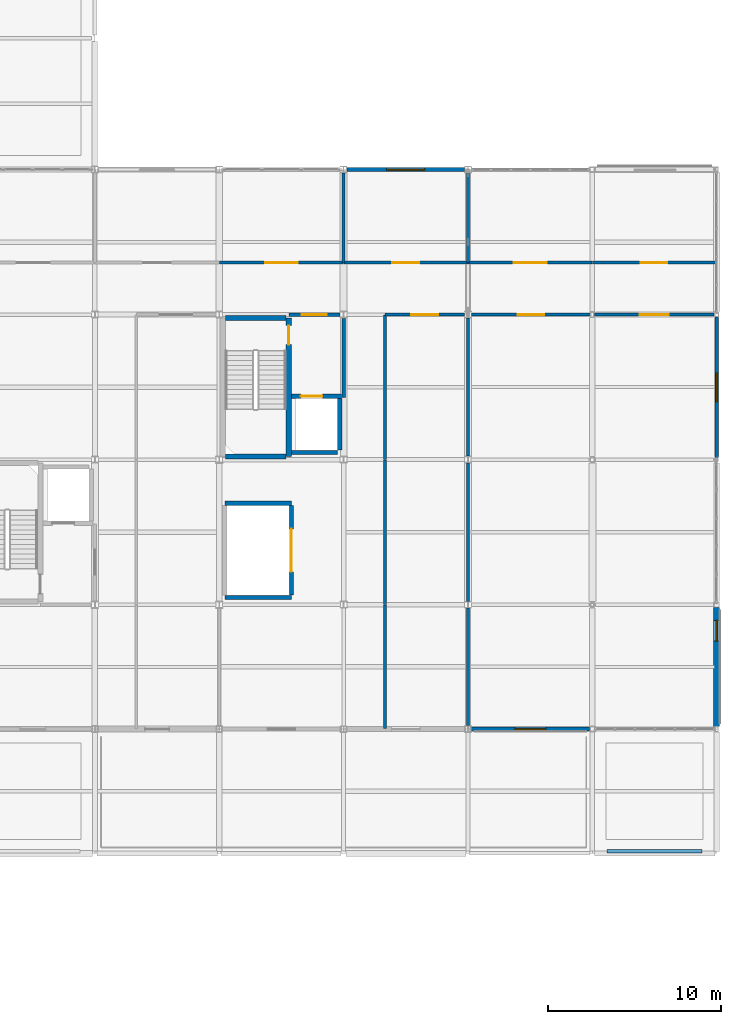
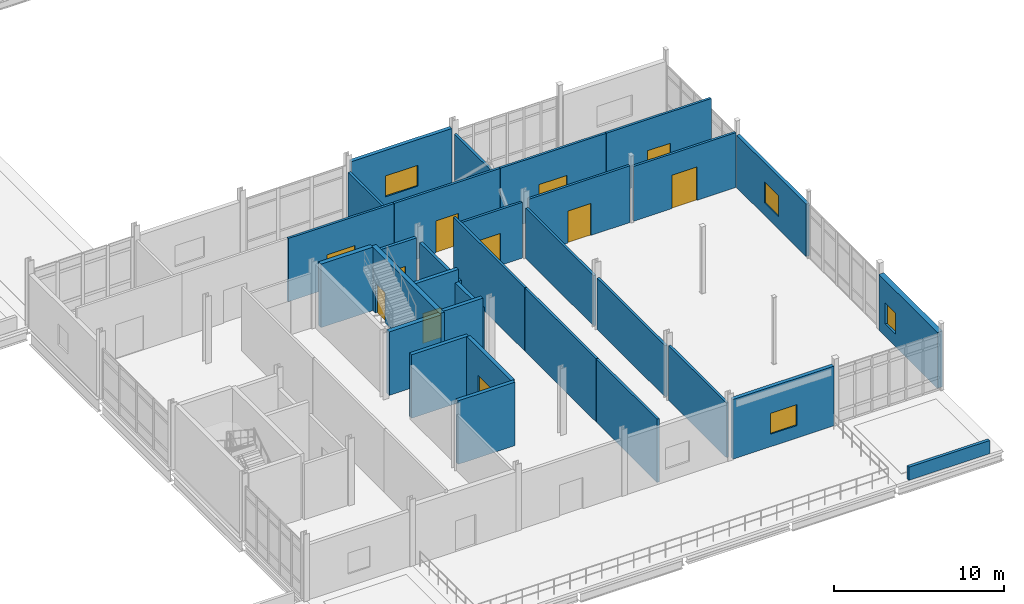
# One storey, part 133 of 153: 31 walls, 11 doors, 4 windows, 15 openings.
"""IFC4 building model written with IfcOpenShell, lengths in metres."""

import ifcopenshell
import ifcopenshell.guid

model = None  # the IFC model being written
_history = None  # IfcOwnerHistory: only IFC2X3 demands one
_inside = {}  # id of a spatial element -> (the spatial element, [elements in it])
_under = {}  # id of a project, library or spatial element -> (it, [spatial elements below it])
_declared = {}  # id of a project -> (the project, [libraries it declares])
_typed = {}  # id of a type object -> (the type object, [elements of that type])
_made_of = {}  # id of a material, layer set ... -> (it, [elements and type objects made of it])


def new_model(schema):
    """Start an empty IFC model of exactly this schema.

    Asked for "IFC4X3", IfcOpenShell would pick the latest addendum, in which some entities
    have other attributes; the version numbers below select the first issue.
    IFC2X3 requires an IfcOwnerHistory on every rooted entity: one is made here for all.
    """
    global model, _history
    if schema == "IFC4X3":
        model = ifcopenshell.file(schema_version=(4, 3, 0, 0))
    else:
        model = ifcopenshell.file(schema=schema)
    _inside.clear()
    _under.clear()
    _declared.clear()
    _typed.clear()
    _made_of.clear()
    _history = None
    if model.schema == "IFC2X3":
        org = make("IfcOrganization", Name="unknown")
        user = make(
            "IfcPersonAndOrganization",
            ThePerson=make("IfcPerson", FamilyName="unknown"),
            TheOrganization=org,
        )
        app = make(
            "IfcApplication",
            ApplicationDeveloper=org,
            Version="unknown",
            ApplicationFullName="unknown",
            ApplicationIdentifier="unknown",
        )
        _history = make(
            "IfcOwnerHistory",
            OwningUser=user,
            OwningApplication=app,
            ChangeAction="ADDED",
            CreationDate=0,
        )
    return model


def make(cls, **values):
    """One entity of the class cls with the attributes given. An attribute that is None is left unset."""
    return model.create_entity(
        cls, **{name: value for name, value in values.items() if value is not None}
    )


def rooted(cls, **values):
    """An entity with a GlobalId (a new one), such as an element, a storey or a relation."""
    return make(cls, GlobalId=ifcopenshell.guid.new(), OwnerHistory=_history, **values)


def si_unit(unit_type, name, prefix=None):
    """IfcSIUnit, for example si_unit("LENGTHUNIT", "METRE", prefix="MILLI")."""
    return make("IfcSIUnit", UnitType=unit_type, Prefix=prefix, Name=name)


def assignment(units):
    """IfcUnitAssignment: the units of a project."""
    return None if units is None else make("IfcUnitAssignment", Units=units)


def point(xyz):
    """IfcCartesianPoint."""
    return None if xyz is None else make("IfcCartesianPoint", Coordinates=xyz)


def direction(xyz):
    """IfcDirection."""
    return None if xyz is None else make("IfcDirection", DirectionRatios=xyz)


def frame(location, z_axis=None, x_axis=None):
    """IfcAxis2Placement3D, a coordinate frame: its origin and axes. An axis left out is left unset."""
    return make(
        "IfcAxis2Placement3D",
        Location=point(location),
        Axis=direction(z_axis),
        RefDirection=direction(x_axis),
    )


def frame_2d(location, x_axis=None):
    """IfcAxis2Placement2D, a coordinate frame in the plane: its origin and x axis."""
    return make(
        "IfcAxis2Placement2D", Location=point(location), RefDirection=direction(x_axis)
    )


def origin():
    """The frame at (0, 0, 0) with its axes left unset."""
    return frame((0.0, 0.0, 0.0))


def place(relative_to, where):
    """IfcLocalPlacement: puts the frame where relative to a parent placement (None: the world)."""
    return make(
        "IfcLocalPlacement", PlacementRelTo=relative_to, RelativePlacement=where
    )


def context(
    kind, dimensions, precision=None, world=None, true_north=None, identifier=None
):
    """IfcGeometricRepresentationContext, for example the 3D "Model" context."""
    return make(
        "IfcGeometricRepresentationContext",
        ContextIdentifier=identifier,
        ContextType=kind,
        CoordinateSpaceDimension=dimensions,
        Precision=precision,
        WorldCoordinateSystem=world,
        TrueNorth=true_north,
    )


def subcontext(parent, identifier, kind, view, scale=None):
    """IfcGeometricRepresentationSubContext, for example "Body" below "Model"."""
    return make(
        "IfcGeometricRepresentationSubContext",
        ContextIdentifier=identifier,
        ContextType=kind,
        ParentContext=parent,
        TargetScale=scale,
        TargetView=view,
    )


def project(units=None, contexts=None):
    """IfcProject with its units and contexts."""
    return rooted(
        "IfcProject",
        Name="project",
        RepresentationContexts=contexts,
        UnitsInContext=assignment(units),
    )


def spatial(cls, under=None, at=None, **own):
    """A site, building, storey or space (cls), placed at a placement, below another one or the project."""
    s = rooted(cls, ObjectPlacement=at, **own)
    if under is not None:
        _under.setdefault(under.id(), (under, []))[1].append(s)
    return s


def profile(cls, at=None, kind="AREA", **sizes):
    """A parametric profile (cls). Its sizes go by their IFC names, for example OverallWidth=200.0."""
    return make(cls, ProfileType=kind, Position=at, **sizes)


def rectangle(**sizes):
    """IfcRectangleProfileDef."""
    return profile("IfcRectangleProfileDef", **sizes)


def extrude(swept, where, along, depth):
    """IfcExtrudedAreaSolid: the profile swept, set in the frame where, extruded along a direction by depth."""
    return make(
        "IfcExtrudedAreaSolid",
        SweptArea=swept,
        Position=where,
        ExtrudedDirection=direction(along),
        Depth=depth,
    )


def shape(context_of_items, identifier, shape_type, items):
    """IfcShapeRepresentation: the items that make up one representation, for example the "Body"."""
    return make(
        "IfcShapeRepresentation",
        ContextOfItems=context_of_items,
        RepresentationIdentifier=identifier,
        RepresentationType=shape_type,
        Items=items,
    )


def material(Name=None, Category=None):
    """IfcMaterial."""
    return make("IfcMaterial", Name=Name, Category=Category)


def layer(
    of_material, thickness, ventilated=None, Name=None, Category=None, Priority=None
):
    """IfcMaterialLayer: one layer of a wall or slab, of a material (None: an air gap)."""
    return make(
        "IfcMaterialLayer",
        Material=of_material,
        LayerThickness=thickness,
        IsVentilated=ventilated,
        Name=Name,
        Category=Category,
        Priority=Priority,
    )


def layer_set(layers, Name=None):
    """IfcMaterialLayerSet."""
    return make("IfcMaterialLayerSet", MaterialLayers=layers, LayerSetName=Name)


def made_of(thing, what):
    """Note that an element or type object is made of a material, layer set ...; save() writes the relation."""
    if what is not None:
        _made_of.setdefault(what.id(), (what, []))[1].append(thing)
    return thing


def type_object(cls, material=None, **own):
    """A type object (cls), such as IfcWallType, which elements share."""
    return made_of(rooted(cls, **own), material)


def element(
    cls,
    number,
    at=None,
    inside=None,
    cuts=None,
    type_object=None,
    material=None,
    context=None,
    identifier="Body",
    shape_type=None,
    held_by="IfcProductDefinitionShape",
    body=None,
    shapes=None,
    **own,
):
    """One element of the class cls, such as IfcWall. Its Tag is "e" and its number.

    at: its placement. inside: the storey or other place that contains it. cuts: it is an
    opening in that element (IfcRelVoidsElement). A single representation is given by context,
    identifier, shape_type and body (its items); several are given by shapes. held_by: the class
    of the entity that holds the representations. save() writes the other relations.
    """
    e = rooted(cls, Tag="e%d" % number, ObjectPlacement=at, **own)
    if body is not None:
        shapes = [shape(context, identifier, shape_type, body)]
    if shapes is not None:
        e.Representation = make(held_by, Representations=shapes)
    if inside is not None:
        _inside.setdefault(inside.id(), (inside, []))[1].append(e)
    if cuts is not None:
        rooted(
            "IfcRelVoidsElement", RelatingBuildingElement=cuts, RelatedOpeningElement=e
        )
    if type_object is not None:
        _typed.setdefault(type_object.id(), (type_object, []))[1].append(e)
    return made_of(e, material)


def fill(opening, filler):
    """IfcRelFillsElement: the door or window that sits in an opening."""
    return rooted(
        "IfcRelFillsElement",
        RelatingOpeningElement=opening,
        RelatedBuildingElement=filler,
    )


def aggregate(whole, parts):
    """IfcRelAggregates: a whole, such as a stair, and the parts it consists of."""
    return rooted("IfcRelAggregates", RelatingObject=whole, RelatedObjects=parts)


def save(model, path):
    """Write the relations noted so far, then the file.

    IfcRelAggregates (storeys below a building ...), IfcRelContainedInSpatialStructure (elements
    in a storey), IfcRelDefinesByType, IfcRelAssociatesMaterial and IfcRelDeclares: one each for
    every whole, place, type object, material and project.
    """
    for whole, parts in _under.values():
        aggregate(whole, parts)
    for where, things in _inside.values():
        rooted(
            "IfcRelContainedInSpatialStructure",
            RelatedElements=things,
            RelatingStructure=where,
        )
    for kind, things in _typed.values():
        rooted("IfcRelDefinesByType", RelatedObjects=things, RelatingType=kind)
    for what, things in _made_of.values():
        rooted("IfcRelAssociatesMaterial", RelatedObjects=things, RelatingMaterial=what)
    for by, libraries in _declared.values():
        rooted("IfcRelDeclares", RelatingContext=by, RelatedDefinitions=libraries)
    model.write(path)


model = new_model("IFC4")

# Units and contexts
model_context = context("Model", 3, precision=1e-05, world=origin(), true_north=direction((0.0, 1.0)))
body_context = subcontext(model_context, "Body", "Model", "MODEL_VIEW")
ifc_project = project(units=[si_unit("LENGTHUNIT", "METRE"), si_unit("AREAUNIT", "SQUARE_METRE"), si_unit("VOLUMEUNIT", "CUBIC_METRE"), si_unit("PLANEANGLEUNIT", "RADIAN"), si_unit("MASSUNIT", "GRAM", prefix="KILO")], contexts=[model_context])

# Site, building, storey
site_placement = place(None, origin())
site = spatial("IfcSite", under=ifc_project, at=site_placement, CompositionType="ELEMENT")
building_placement = place(site_placement, origin())
building = spatial("IfcBuilding", under=site, at=building_placement, Name="Calvrana Isthmian Art Gallery", CompositionType="ELEMENT")
storey_placement = place(building_placement, frame((0.0, 0.0, 10.199951171875)))
storey = spatial("IfcBuildingStorey", under=building, at=storey_placement, Name="L02", CompositionType="ELEMENT", Elevation=10.199951171875)

# Wall, opening, door
ifc_material_1 = material(Name="Concrete C40/50", Category="concrete")
ifc_layer_1 = layer(ifc_material_1, 0.300048828125, Name="Concrete C40/50")
ifc_layer_set_1 = layer_set([ifc_layer_1], Name="Concrete C40/50")
wall_type_1 = type_object("IfcWallType", Name="CW-SHAFT-300", PredefinedType="SHEAR", material=ifc_layer_set_1)
wall_1_placement = place(storey_placement, frame((131.219970703125, 30.18994140625, 0.0), z_axis=(0.0, 0.0, 1.0), x_axis=(0.0, 1.0, 0.0)))
wall_1 = element("IfcWall", 1, at=wall_1_placement, inside=storey, type_object=wall_type_1, Name="Core C4 shear wall E L02", PredefinedType="SHEAR", context=body_context, shape_type="SweptSolid", body=[
    extrude(rectangle(XDim=8.02001953125, YDim=0.300048828125, at=frame_2d((4.010009765625, 0.0))), origin(), (0.0, 0.0, 1.0), 4.56005859375),
])
opening_1_placement = place(wall_1_placement, frame((6.469970703125, 0.0, 0.0)))
opening_1 = element("IfcOpeningElement", 2, at=opening_1_placement, cuts=wall_1, Name="Opening D-148", PredefinedType="OPENING", context=body_context, shape_type="SweptSolid", body=[
    extrude(rectangle(XDim=1.10009765625, YDim=2.14990234375, at=frame_2d((0.550048828125, 1.074951171875))), frame((0.0, 0.16015625, 0.0), z_axis=(0.0, -1.0, 0.0), x_axis=(1.0, 0.0, 0.0)), (0.0, 0.0, 1.0), 0.320556640625),
])
ifc_material_2 = material(Name="Steel ASTM A572 Gr 50", Category="steel")
door_type_1 = type_object("IfcDoorType", Name="DR-FIRE-1100", OperationType="NOTDEFINED", PredefinedType="DOOR", material=ifc_material_2)
door_1_placement = place(opening_1_placement, origin())
door_1 = element("IfcDoor", 3, at=door_1_placement, inside=storey, type_object=door_type_1, Name="Stair ST-4 fire door L02", OperationType="SINGLE_SWING_LEFT", OverallHeight=2.14990234375, OverallWidth=1.10009765625, PredefinedType="DOOR", context=body_context, shape_type="SweptSolid", body=[
    extrude(rectangle(XDim=1.10009765625, YDim=2.14990234375, at=frame_2d((0.550048828125, 1.074951171875))), frame((0.0, 0.02490234375, 0.0), z_axis=(0.0, -1.0, 0.0), x_axis=(1.0, 0.0, 0.0)), (0.0, 0.0, 1.0), 0.050048828125),
])
fill(opening_1, door_1)

# Walls
for number, where, z_axis, x_axis, name in (
    (4, (127.550048828125, 30.18994140625, 0.0), (0.0, 0.0, 1.0), (1.0, 0.0, 0.0), "Core C4 shear wall S L02"),
    (5, (127.550048828125, 38.2099609375, 0.0), (0.0, 0.0, 1.0), (1.0, 0.0, 0.0), "Core C4 shear wall N L02"),
):
    element("IfcWall", number, at=place(storey_placement, frame(where, z_axis=z_axis, x_axis=x_axis)), inside=storey, type_object=wall_type_1, Name=name, PredefinedType="SHEAR", context=body_context, shape_type="SweptSolid", body=[
        extrude(rectangle(XDim=3.52001953125, YDim=0.300048828125, at=frame_2d((1.760009765625, 0.0))), origin(), (0.0, 0.0, 1.0), 4.56005859375),
    ])

# Wall, opening, window
ifc_material_3 = material(Name="Precast concrete C40/50", Category="concrete")
ifc_layer_2 = layer(ifc_material_3, 0.219970703125, Name="Precast concrete C40/50")
ifc_layer_set_2 = layer_set([ifc_layer_2], Name="Precast concrete C40/50")
wall_type_2 = type_object("IfcWallType", Name="EW-ACOUST-220", PredefinedType="SOLIDWALL", material=ifc_layer_set_2)
wall_2_placement = place(storey_placement, frame((156.0, 38.27294921875, 0.0), z_axis=(0.0, 0.0, 1.0), x_axis=(0.0, -1.0, 0.0)))
wall_2 = element("IfcWall", 6, at=wall_2_placement, inside=storey, type_object=wall_type_2, Name="Exterior wall EW-141", PredefinedType="SOLIDWALL", context=body_context, shape_type="SweptSolid", body=[
    extrude(rectangle(XDim=8.17138671875, YDim=0.219970703125, at=frame_2d((4.085693359375, 0.0))), origin(), (0.0, 0.0, 1.0), 3.76806640625),
])
opening_2_placement = place(wall_2_placement, frame((3.2607421875, 0.0, 0.89990234375)))
opening_2 = element("IfcOpeningElement", 7, at=opening_2_placement, cuts=wall_2, Name="Opening W-098", PredefinedType="OPENING", context=body_context, shape_type="SweptSolid", body=[
    extrude(rectangle(XDim=1.64990234375, YDim=1.5, at=frame_2d((0.824951171875, 0.75))), frame((0.0, 0.1201171875, 0.0), z_axis=(0.0, -1.0, 0.0), x_axis=(1.0, 0.0, 0.0)), (0.0, 0.0, 1.0), 0.240478515625),
])
ifc_material_4 = material(Name="Low-E laminated solar glass", Category="glass")
window_type_1 = type_object("IfcWindowType", Name="WN-G04", PartitioningType="SINGLE_PANEL", PredefinedType="WINDOW", material=ifc_material_4)
window_1_placement = place(opening_2_placement, origin())
window_1 = element("IfcWindow", 8, at=window_1_placement, inside=storey, type_object=window_type_1, Name="Facade window W-098", OverallHeight=1.5, OverallWidth=1.64990234375, PartitioningType="SINGLE_PANEL", PredefinedType="WINDOW", context=body_context, shape_type="SweptSolid", body=[
    extrude(rectangle(XDim=1.64990234375, YDim=1.5, at=frame_2d((0.824951171875, 0.75))), frame((0.0, 0.030029296875, 0.0), z_axis=(0.0, -1.0, 0.0), x_axis=(1.0, 0.0, 0.0)), (0.0, 0.0, 1.0), 0.06005859375),
])
fill(opening_2, window_1)

ifc_layer_3 = layer(ifc_material_3, 0.35009765625, Name="Precast concrete C40/50")
ifc_layer_set_3 = layer_set([ifc_layer_3], Name="Precast concrete C40/50")
wall_type_3 = type_object("IfcWallType", Name="EW-PREC-350", PredefinedType="SOLIDWALL", material=ifc_layer_set_3)
wall_3_placement = place(storey_placement, frame((156.0, 21.447509765625, 0.0), z_axis=(0.0, 0.0, 1.0), x_axis=(0.0, -1.0, 0.0)))
wall_3 = element("IfcWall", 9, at=wall_3_placement, inside=storey, type_object=wall_type_3, Name="Exterior wall EW-140", PredefinedType="SOLIDWALL", context=body_context, shape_type="SweptSolid", body=[
    extrude(rectangle(XDim=6.89501953125, YDim=0.35009765625, at=frame_2d((3.447509765625, 0.0))), origin(), (0.0, 0.0, 1.0), 4.007080078125),
])
opening_3_placement = place(wall_3_placement, frame((0.75, 0.0, 0.89990234375)))
opening_3 = element("IfcOpeningElement", 10, at=opening_3_placement, cuts=wall_3, Name="Opening W-097", PredefinedType="OPENING", context=body_context, shape_type="SweptSolid", body=[
    extrude(rectangle(XDim=1.199951171875, YDim=1.5, at=frame_2d((0.60009765625, 0.75))), frame((0.0, 0.185302734375, 0.0), z_axis=(0.0, -1.0, 0.0), x_axis=(1.0, 0.0, 0.0)), (0.0, 0.0, 1.0), 0.37060546875),
])
window_type_2 = type_object("IfcWindowType", Name="WN-G01", PartitioningType="SINGLE_PANEL", PredefinedType="WINDOW", material=ifc_material_4)
window_2_placement = place(opening_3_placement, origin())
window_2 = element("IfcWindow", 11, at=window_2_placement, inside=storey, type_object=window_type_2, Name="Facade window W-097", OverallHeight=1.5, OverallWidth=1.199951171875, PartitioningType="SINGLE_PANEL", PredefinedType="WINDOW", context=body_context, shape_type="SweptSolid", body=[
    extrude(rectangle(XDim=1.199951171875, YDim=1.5, at=frame_2d((0.60009765625, 0.75))), frame((0.0, 0.030029296875, 0.0), z_axis=(0.0, -1.0, 0.0), x_axis=(1.0, 0.0, 0.0)), (0.0, 0.0, 1.0), 0.06005859375),
])
fill(opening_3, window_2)

ifc_material_5 = material(Name="Polychrome glazed terracotta", Category="masonry")
ifc_layer_4 = layer(ifc_material_5, 0.25, Name="Polychrome glazed terracotta")
ifc_layer_set_4 = layer_set([ifc_layer_4], Name="Polychrome glazed terracotta")
wall_type_4 = type_object("IfcWallType", Name="EW-TERRA-250", PredefinedType="SOLIDWALL", material=ifc_layer_set_4)
wall_4_placement = place(storey_placement, frame((148.647705078125, 14.39990234375, 0.0), z_axis=(0.0, 0.0, 1.0), x_axis=(-1.0, 0.0, 0.0)))
wall_4 = element("IfcWall", 12, at=wall_4_placement, inside=storey, type_object=wall_type_4, Name="Exterior wall EW-115", PredefinedType="SOLIDWALL", context=body_context, shape_type="SweptSolid", body=[
    extrude(rectangle(XDim=6.861083984375, YDim=0.25, at=frame_2d((3.4306640625, 0.0))), origin(), (0.0, 0.0, 1.0), 4.2861328125),
])
opening_4_placement = place(wall_4_placement, frame((2.530517578125, 0.0, 0.89990234375)))
opening_4 = element("IfcOpeningElement", 13, at=opening_4_placement, cuts=wall_4, Name="Opening W-075", PredefinedType="OPENING", context=body_context, shape_type="SweptSolid", body=[
    extrude(rectangle(XDim=1.800048828125, YDim=1.5, at=frame_2d((0.89990234375, 0.75))), frame((0.0, 0.13525390625, 0.0), z_axis=(0.0, -1.0, 0.0), x_axis=(1.0, 0.0, 0.0)), (0.0, 0.0, 1.0), 0.2705078125),
])
window_type_3 = type_object("IfcWindowType", Name="WN-G05", PartitioningType="DOUBLE_PANEL_VERTICAL", PredefinedType="WINDOW", material=ifc_material_4)
window_3_placement = place(opening_4_placement, origin())
window_3 = element("IfcWindow", 14, at=window_3_placement, inside=storey, type_object=window_type_3, Name="Facade window W-075", OverallHeight=1.5, OverallWidth=1.800048828125, PartitioningType="SINGLE_PANEL", PredefinedType="WINDOW", context=body_context, shape_type="SweptSolid", body=[
    extrude(rectangle(XDim=1.800048828125, YDim=1.5, at=frame_2d((0.89990234375, 0.75))), frame((0.0, 0.030029296875, 0.0), z_axis=(0.0, -1.0, 0.0), x_axis=(1.0, 0.0, 0.0)), (0.0, 0.0, 1.0), 0.06005859375),
])
fill(opening_4, window_3)

wall_5_placement = place(storey_placement, frame((134.58642578125, 46.800048828125, 0.0), z_axis=(0.0, 0.0, 1.0), x_axis=(1.0, 0.0, 0.0)))
wall_5 = element("IfcWall", 15, at=wall_5_placement, inside=storey, type_object=wall_type_4, Name="Exterior wall EW-119", PredefinedType="SOLIDWALL", context=body_context, shape_type="SweptSolid", body=[
    extrude(rectangle(XDim=6.81396484375, YDim=0.25, at=frame_2d((3.406982421875, 0.0))), origin(), (0.0, 0.0, 1.0), 4.2353515625),
])
opening_5_placement = place(wall_5_placement, frame((2.306884765625, 0.0, 0.89990234375)))
opening_5 = element("IfcOpeningElement", 16, at=opening_5_placement, cuts=wall_5, Name="Opening W-077", PredefinedType="OPENING", context=body_context, shape_type="SweptSolid", body=[
    extrude(rectangle(XDim=2.199951171875, YDim=1.5, at=frame_2d((1.10009765625, 0.75))), frame((0.0, 0.13525390625, 0.0), z_axis=(0.0, -1.0, 0.0), x_axis=(1.0, 0.0, 0.0)), (0.0, 0.0, 1.0), 0.2705078125),
])
window_type_4 = type_object("IfcWindowType", Name="WN-G07", PartitioningType="DOUBLE_PANEL_VERTICAL", PredefinedType="WINDOW", material=ifc_material_4)
window_4_placement = place(opening_5_placement, origin())
window_4 = element("IfcWindow", 17, at=window_4_placement, inside=storey, type_object=window_type_4, Name="Facade window W-077", OverallHeight=1.5, OverallWidth=2.199951171875, PartitioningType="SINGLE_PANEL", PredefinedType="WINDOW", context=body_context, shape_type="SweptSolid", body=[
    extrude(rectangle(XDim=2.199951171875, YDim=1.5, at=frame_2d((1.10009765625, 0.75))), frame((0.0, 0.030029296875, 0.0), z_axis=(0.0, -1.0, 0.0), x_axis=(1.0, 0.0, 0.0)), (0.0, 0.0, 1.0), 0.06005859375),
])
fill(opening_5, window_4)

# Wall
ifc_material_6 = material(Name="Acoustic gypsum ceiling", Category="gypsum")
ifc_layer_5 = layer(ifc_material_6, 0.199951171875, Name="Acoustic gypsum ceiling")
ifc_layer_set_5 = layer_set([ifc_layer_5], Name="Acoustic gypsum ceiling")
wall_type_5 = type_object("IfcWallType", Name="PW-FIRE-200", PredefinedType="PARTITIONING", material=ifc_layer_set_5)
wall_6_placement = place(storey_placement, frame((134.39990234375, 33.60009765625, 0.0), z_axis=(0.0, 0.0, 1.0), x_axis=(0.0, 1.0, 0.0)))
element("IfcWall", 18, at=wall_6_placement, inside=storey, type_object=wall_type_5, Name="Core C4 lobby east closure L02", PredefinedType="PARTITIONING", context=body_context, shape_type="SweptSolid", body=[
    extrude(rectangle(XDim=4.579833984375, YDim=0.199951171875, at=frame_2d((2.2900390625, 0.0))), origin(), (0.0, 0.0, 1.0), 3.68408203125),
])

# Wall, opening, door
wall_7_placement = place(storey_placement, frame((131.22998046875, 38.39990234375, 0.0), z_axis=(0.0, 0.0, 1.0), x_axis=(1.0, 0.0, 0.0)))
wall_7 = element("IfcWall", 19, at=wall_7_placement, inside=storey, type_object=wall_type_5, Name="Core C4 lobby enclosure L02", PredefinedType="PARTITIONING", context=body_context, shape_type="SweptSolid", body=[
    extrude(rectangle(XDim=2.949951171875, YDim=0.199951171875, at=frame_2d((1.47509765625, 0.0))), origin(), (0.0, 0.0, 1.0), 3.990966796875),
])
opening_6_placement = place(wall_7_placement, frame((0.75, 0.0, 0.0)))
opening_6 = element("IfcOpeningElement", 20, at=opening_6_placement, cuts=wall_7, Name="Opening D-149", PredefinedType="OPENING", context=body_context, shape_type="SweptSolid", body=[
    extrude(rectangle(XDim=1.449951171875, YDim=2.199951171875, at=frame_2d((0.72509765625, 1.10009765625))), frame((0.0, 0.1103515625, 0.0), z_axis=(0.0, -1.0, 0.0), x_axis=(1.0, 0.0, 0.0)), (0.0, 0.0, 1.0), 0.220458984375),
])
door_type_2 = type_object("IfcDoorType", Name="DR-LOBBY-1450", OperationType="DOUBLE_DOOR_SINGLE_SWING", PredefinedType="DOOR", material=ifc_material_2)
door_2_placement = place(opening_6_placement, origin())
door_2 = element("IfcDoor", 21, at=door_2_placement, inside=storey, type_object=door_type_2, Name="Core C4 lobby fire door L02", OperationType="DOUBLE_DOOR_SINGLE_SWING", OverallHeight=2.199951171875, OverallWidth=1.449951171875, PredefinedType="DOOR", context=body_context, shape_type="SweptSolid", body=[
    extrude(rectangle(XDim=1.449951171875, YDim=2.199951171875, at=frame_2d((0.72509765625, 1.10009765625))), frame((0.0, 0.02490234375, 0.0), z_axis=(0.0, -1.0, 0.0), x_axis=(1.0, 0.0, 0.0)), (0.0, 0.0, 1.0), 0.050048828125),
])
fill(opening_6, door_2)

# Walls
ifc_layer_6 = layer(ifc_material_6, 0.159912109375, Name="Acoustic gypsum ceiling")
ifc_layer_set_6 = layer_set([ifc_layer_6], Name="Acoustic gypsum ceiling")
wall_type_6 = type_object("IfcWallType", Name="PW-GAL-160", PredefinedType="PARTITIONING", material=ifc_layer_set_6)
wall_8_placement = place(storey_placement, frame((136.800048828125, 14.43994140625, 0.0), z_axis=(0.0, 0.0, 1.0), x_axis=(0.0, 1.0, 0.0)))
element("IfcWall", 22, at=wall_8_placement, inside=storey, type_object=wall_type_6, Name="Interior partition PW-476", PredefinedType="PARTITIONING", context=body_context, shape_type="SweptSolid", body=[
    extrude(rectangle(XDim=7.14013671875, YDim=0.159912109375, at=frame_2d((3.570068359375, 0.0))), origin(), (0.0, 0.0, 1.0), 4.5400390625),
])
for number, where, z_axis, x_axis, name in (
    (23, (136.800048828125, 21.6201171875, 0.0), (0.0, 0.0, 1.0), (0.0, 1.0, 0.0), "Interior partition PW-477"),
    (24, (136.800048828125, 30.02001953125, 0.0), (0.0, 0.0, 1.0), (0.0, 1.0, 0.0), "Interior partition PW-478"),
):
    element("IfcWall", number, at=place(storey_placement, frame(where, z_axis=z_axis, x_axis=x_axis)), inside=storey, type_object=wall_type_6, Name=name, PredefinedType="PARTITIONING", context=body_context, shape_type="SweptSolid", body=[
        extrude(rectangle(XDim=8.35986328125, YDim=0.159912109375, at=frame_2d((4.179931640625, 0.0))), origin(), (0.0, 0.0, 1.0), 4.5400390625),
    ])

# Wall, opening, door
wall_9_placement = place(storey_placement, frame((136.800048828125, 38.39990234375, 0.0), z_axis=(0.0, 0.0, 1.0), x_axis=(1.0, 0.0, 0.0)))
wall_9 = element("IfcWall", 25, at=wall_9_placement, inside=storey, type_object=wall_type_6, Name="Interior partition PW-479", PredefinedType="PARTITIONING", context=body_context, shape_type="SweptSolid", body=[
    extrude(rectangle(XDim=4.5869140625, YDim=0.159912109375, at=frame_2d((2.29345703125, 0.0))), origin(), (0.0, 0.0, 1.0), 4.007080078125),
])
opening_7_placement = place(wall_9_placement, frame((1.5185546875, 0.0, 0.0)))
opening_7 = element("IfcOpeningElement", 26, at=opening_7_placement, cuts=wall_9, Name="Opening D-443", PredefinedType="OPENING", context=body_context, shape_type="SweptSolid", body=[
    extrude(rectangle(XDim=1.550048828125, YDim=2.300048828125, at=frame_2d((0.77490234375, 1.14990234375))), frame((0.0, 0.09033203125, 0.0), z_axis=(0.0, -1.0, 0.0), x_axis=(1.0, 0.0, 0.0)), (0.0, 0.0, 1.0), 0.180419921875),
])
ifc_material_7 = material(Name="Timber gallery flooring", Category="wood")
door_type_3 = type_object("IfcDoorType", Name="DR-AUD-1550", OperationType="DOUBLE_DOOR_SINGLE_SWING", PredefinedType="DOOR", material=ifc_material_7)
door_3_placement = place(opening_7_placement, origin())
door_3 = element("IfcDoor", 27, at=door_3_placement, inside=storey, type_object=door_type_3, Name="Interior door D-443", OperationType="DOUBLE_DOOR_SINGLE_SWING", OverallHeight=2.300048828125, OverallWidth=1.550048828125, PredefinedType="DOOR", context=body_context, shape_type="SweptSolid", body=[
    extrude(rectangle(XDim=1.550048828125, YDim=2.300048828125, at=frame_2d((0.77490234375, 1.14990234375))), frame((0.0, 0.02490234375, 0.0), z_axis=(0.0, -1.0, 0.0), x_axis=(1.0, 0.0, 0.0)), (0.0, 0.0, 1.0), 0.050048828125),
])
fill(opening_7, door_3)

# Walls
wall_10_placement = place(storey_placement, frame((141.60009765625, 14.6015625, 0.0), z_axis=(0.0, 0.0, 1.0), x_axis=(0.0, 1.0, 0.0)))
element("IfcWall", 28, at=wall_10_placement, inside=storey, type_object=wall_type_6, Name="Interior partition PW-480", PredefinedType="PARTITIONING", context=body_context, shape_type="SweptSolid", body=[
    extrude(rectangle(XDim=6.796875, YDim=0.159912109375, at=frame_2d((3.3984375, 0.0))), origin(), (0.0, 0.0, 1.0), 3.927978515625),
])
wall_11_placement = place(storey_placement, frame((141.60009765625, 21.801513671875, 0.0), z_axis=(0.0, 0.0, 1.0), x_axis=(0.0, 1.0, 0.0)))
element("IfcWall", 29, at=wall_11_placement, inside=storey, type_object=wall_type_6, Name="Interior partition PW-481", PredefinedType="PARTITIONING", context=body_context, shape_type="SweptSolid", body=[
    extrude(rectangle(XDim=7.99560546875, YDim=0.159912109375, at=frame_2d((3.997802734375, 0.0))), origin(), (0.0, 0.0, 1.0), 3.68408203125),
])
wall_12_placement = place(storey_placement, frame((141.60009765625, 30.202880859375, 0.0), z_axis=(0.0, 0.0, 1.0), x_axis=(0.0, 1.0, 0.0)))
element("IfcWall", 30, at=wall_12_placement, inside=storey, type_object=wall_type_6, Name="Interior partition PW-482", PredefinedType="PARTITIONING", context=body_context, shape_type="SweptSolid", body=[
    extrude(rectangle(XDim=7.99169921875, YDim=0.159912109375, at=frame_2d((3.995849609375, 0.0))), origin(), (0.0, 0.0, 1.0), 3.613037109375),
])

# Wall, opening, door
wall_13_placement = place(storey_placement, frame((141.81298828125, 38.39990234375, 0.0), z_axis=(0.0, 0.0, 1.0), x_axis=(1.0, 0.0, 0.0)))
wall_13 = element("IfcWall", 31, at=wall_13_placement, inside=storey, type_object=wall_type_6, Name="Interior partition PW-483", PredefinedType="PARTITIONING", context=body_context, shape_type="SweptSolid", body=[
    extrude(rectangle(XDim=6.870361328125, YDim=0.159912109375, at=frame_2d((3.43505859375, 0.0))), origin(), (0.0, 0.0, 1.0), 4.078125),
])
opening_8_placement = place(wall_13_placement, frame((2.66015625, 0.0, 0.0)))
opening_8 = element("IfcOpeningElement", 32, at=opening_8_placement, cuts=wall_13, Name="Opening D-444", PredefinedType="OPENING", context=body_context, shape_type="SweptSolid", body=[
    extrude(rectangle(XDim=1.550048828125, YDim=2.300048828125, at=frame_2d((0.77490234375, 1.14990234375))), frame((0.0, 0.09033203125, 0.0), z_axis=(0.0, -1.0, 0.0), x_axis=(1.0, 0.0, 0.0)), (0.0, 0.0, 1.0), 0.180419921875),
])
door_4_placement = place(opening_8_placement, origin())
door_4 = element("IfcDoor", 33, at=door_4_placement, inside=storey, type_object=door_type_3, Name="Interior door D-444", OperationType="DOUBLE_DOOR_SINGLE_SWING", OverallHeight=2.300048828125, OverallWidth=1.550048828125, PredefinedType="DOOR", context=body_context, shape_type="SweptSolid", body=[
    extrude(rectangle(XDim=1.550048828125, YDim=2.300048828125, at=frame_2d((0.77490234375, 1.14990234375))), frame((0.0, 0.02490234375, 0.0), z_axis=(0.0, -1.0, 0.0), x_axis=(1.0, 0.0, 0.0)), (0.0, 0.0, 1.0), 0.050048828125),
])
fill(opening_8, door_4)

wall_14_placement = place(storey_placement, frame((148.91650390625, 38.39990234375, 0.0), z_axis=(0.0, 0.0, 1.0), x_axis=(1.0, 0.0, 0.0)))
wall_14 = element("IfcWall", 34, at=wall_14_placement, inside=storey, type_object=wall_type_6, Name="Interior partition PW-484", PredefinedType="PARTITIONING", context=body_context, shape_type="SweptSolid", body=[
    extrude(rectangle(XDim=6.94140625, YDim=0.159912109375, at=frame_2d((3.470703125, 0.0))), origin(), (0.0, 0.0, 1.0), 3.93310546875),
])
opening_9_placement = place(wall_14_placement, frame((2.62060546875, 0.0, 0.0)))
opening_9 = element("IfcOpeningElement", 35, at=opening_9_placement, cuts=wall_14, Name="Opening D-445", PredefinedType="OPENING", context=body_context, shape_type="SweptSolid", body=[
    extrude(rectangle(XDim=1.699951171875, YDim=2.39990234375, at=frame_2d((0.85009765625, 1.199951171875))), frame((0.0, 0.09033203125, 0.0), z_axis=(0.0, -1.0, 0.0), x_axis=(1.0, 0.0, 0.0)), (0.0, 0.0, 1.0), 0.180419921875),
])
door_type_4 = type_object("IfcDoorType", Name="DR-GAL-1700", OperationType="DOUBLE_DOOR_SINGLE_SWING", PredefinedType="DOOR", material=ifc_material_7)
door_5_placement = place(opening_9_placement, origin())
door_5 = element("IfcDoor", 36, at=door_5_placement, inside=storey, type_object=door_type_4, Name="Interior door D-445", OperationType="DOUBLE_DOOR_SINGLE_SWING", OverallHeight=2.39990234375, OverallWidth=1.699951171875, PredefinedType="DOOR", context=body_context, shape_type="SweptSolid", body=[
    extrude(rectangle(XDim=1.699951171875, YDim=2.39990234375, at=frame_2d((0.85009765625, 1.199951171875))), frame((0.0, 0.02490234375, 0.0), z_axis=(0.0, -1.0, 0.0), x_axis=(1.0, 0.0, 0.0)), (0.0, 0.0, 1.0), 0.050048828125),
])
fill(opening_9, door_5)

wall_15_placement = place(storey_placement, frame((127.2099609375, 41.409912109375, 0.0), z_axis=(0.0, 0.0, 1.0), x_axis=(1.0, 0.0, 0.0)))
wall_15 = element("IfcWall", 37, at=wall_15_placement, inside=storey, type_object=wall_type_6, Name="Interior partition PW-488", PredefinedType="PARTITIONING", context=body_context, shape_type="SweptSolid", body=[
    extrude(rectangle(XDim=7.179931640625, YDim=0.159912109375, at=frame_2d((3.58984375, 0.0))), origin(), (0.0, 0.0, 1.0), 4.5400390625),
])
opening_10_placement = place(wall_15_placement, frame((2.639892578125, 0.0, 0.0)))
opening_10 = element("IfcOpeningElement", 38, at=opening_10_placement, cuts=wall_15, Name="Opening D-448", PredefinedType="OPENING", context=body_context, shape_type="SweptSolid", body=[
    extrude(rectangle(XDim=1.89990234375, YDim=2.449951171875, at=frame_2d((0.949951171875, 1.22509765625))), frame((0.0, 0.09033203125, 0.0), z_axis=(0.0, -1.0, 0.0), x_axis=(1.0, 0.0, 0.0)), (0.0, 0.0, 1.0), 0.180419921875),
])
door_type_5 = type_object("IfcDoorType", Name="DR-GAL-1900", OperationType="DOUBLE_DOOR_SINGLE_SWING", PredefinedType="DOOR", material=ifc_material_7)
door_6_placement = place(opening_10_placement, origin())
door_6 = element("IfcDoor", 39, at=door_6_placement, inside=storey, type_object=door_type_5, Name="Interior door D-448", OperationType="DOUBLE_DOOR_SINGLE_SWING", OverallHeight=2.449951171875, OverallWidth=1.89990234375, PredefinedType="DOOR", context=body_context, shape_type="SweptSolid", body=[
    extrude(rectangle(XDim=1.89990234375, YDim=2.449951171875, at=frame_2d((0.949951171875, 1.22509765625))), frame((0.0, 0.02490234375, 0.0), z_axis=(0.0, -1.0, 0.0), x_axis=(1.0, 0.0, 0.0)), (0.0, 0.0, 1.0), 0.050048828125),
])
fill(opening_10, door_6)

# Wall
wall_16_placement = place(storey_placement, frame((134.39990234375, 41.419921875, 0.0), z_axis=(0.0, 0.0, 1.0), x_axis=(0.0, 1.0, 0.0)))
element("IfcWall", 40, at=wall_16_placement, inside=storey, type_object=wall_type_6, Name="Interior partition PW-489", PredefinedType="PARTITIONING", context=body_context, shape_type="SweptSolid", body=[
    extrude(rectangle(XDim=5.178466796875, YDim=0.159912109375, at=frame_2d((2.58935546875, 0.0))), origin(), (0.0, 0.0, 1.0), 3.613037109375),
])

# Wall, opening, door
wall_17_placement = place(storey_placement, frame((134.409912109375, 41.409912109375, 0.0), z_axis=(0.0, 0.0, 1.0), x_axis=(1.0, 0.0, 0.0)))
wall_17 = element("IfcWall", 41, at=wall_17_placement, inside=storey, type_object=wall_type_6, Name="Interior partition PW-490", PredefinedType="PARTITIONING", context=body_context, shape_type="SweptSolid", body=[
    extrude(rectangle(XDim=7.18017578125, YDim=0.159912109375, at=frame_2d((3.590087890625, 0.0))), origin(), (0.0, 0.0, 1.0), 4.5400390625),
])
opening_11_placement = place(wall_17_placement, frame((2.81494140625, 0.0, 0.0)))
opening_11 = element("IfcOpeningElement", 42, at=opening_11_placement, cuts=wall_17, Name="Opening D-449", PredefinedType="OPENING", context=body_context, shape_type="SweptSolid", body=[
    extrude(rectangle(XDim=1.550048828125, YDim=2.300048828125, at=frame_2d((0.77490234375, 1.14990234375))), frame((0.0, 0.09033203125, 0.0), z_axis=(0.0, -1.0, 0.0), x_axis=(1.0, 0.0, 0.0)), (0.0, 0.0, 1.0), 0.180419921875),
])
door_7_placement = place(opening_11_placement, origin())
door_7 = element("IfcDoor", 43, at=door_7_placement, inside=storey, type_object=door_type_3, Name="Interior door D-449", OperationType="DOUBLE_DOOR_SINGLE_SWING", OverallHeight=2.300048828125, OverallWidth=1.550048828125, PredefinedType="DOOR", context=body_context, shape_type="SweptSolid", body=[
    extrude(rectangle(XDim=1.550048828125, YDim=2.300048828125, at=frame_2d((0.77490234375, 1.14990234375))), frame((0.0, 0.02490234375, 0.0), z_axis=(0.0, -1.0, 0.0), x_axis=(1.0, 0.0, 0.0)), (0.0, 0.0, 1.0), 0.050048828125),
])
fill(opening_11, door_7)

# Wall
wall_18_placement = place(storey_placement, frame((141.60009765625, 41.419921875, 0.0), z_axis=(0.0, 0.0, 1.0), x_axis=(0.0, 1.0, 0.0)))
element("IfcWall", 44, at=wall_18_placement, inside=storey, type_object=wall_type_6, Name="Interior partition PW-491", PredefinedType="PARTITIONING", context=body_context, shape_type="SweptSolid", body=[
    extrude(rectangle(XDim=5.172119140625, YDim=0.159912109375, at=frame_2d((2.5859375, 0.0))), origin(), (0.0, 0.0, 1.0), 3.84716796875),
])

# Wall, opening, door
wall_19_placement = place(storey_placement, frame((141.610107421875, 41.409912109375, 0.0), z_axis=(0.0, 0.0, 1.0), x_axis=(1.0, 0.0, 0.0)))
wall_19 = element("IfcWall", 45, at=wall_19_placement, inside=storey, type_object=wall_type_6, Name="Interior partition PW-492", PredefinedType="PARTITIONING", context=body_context, shape_type="SweptSolid", body=[
    extrude(rectangle(XDim=7.179931640625, YDim=0.159912109375, at=frame_2d((3.58984375, 0.0))), origin(), (0.0, 0.0, 1.0), 4.5400390625),
])
opening_12_placement = place(wall_19_placement, frame((2.639892578125, 0.0, 0.0)))
opening_12 = element("IfcOpeningElement", 46, at=opening_12_placement, cuts=wall_19, Name="Opening D-450", PredefinedType="OPENING", context=body_context, shape_type="SweptSolid", body=[
    extrude(rectangle(XDim=1.89990234375, YDim=2.449951171875, at=frame_2d((0.949951171875, 1.22509765625))), frame((0.0, 0.09033203125, 0.0), z_axis=(0.0, -1.0, 0.0), x_axis=(1.0, 0.0, 0.0)), (0.0, 0.0, 1.0), 0.180419921875),
])
door_8_placement = place(opening_12_placement, origin())
door_8 = element("IfcDoor", 47, at=door_8_placement, inside=storey, type_object=door_type_5, Name="Interior door D-450", OperationType="DOUBLE_DOOR_SINGLE_SWING", OverallHeight=2.449951171875, OverallWidth=1.89990234375, PredefinedType="DOOR", context=body_context, shape_type="SweptSolid", body=[
    extrude(rectangle(XDim=1.89990234375, YDim=2.449951171875, at=frame_2d((0.949951171875, 1.22509765625))), frame((0.0, 0.02490234375, 0.0), z_axis=(0.0, -1.0, 0.0), x_axis=(1.0, 0.0, 0.0)), (0.0, 0.0, 1.0), 0.050048828125),
])
fill(opening_12, door_8)

wall_20_placement = place(storey_placement, frame((148.81005859375, 41.409912109375, 0.0), z_axis=(0.0, 0.0, 1.0), x_axis=(1.0, 0.0, 0.0)))
wall_20 = element("IfcWall", 48, at=wall_20_placement, inside=storey, type_object=wall_type_6, Name="Interior partition PW-493", PredefinedType="PARTITIONING", context=body_context, shape_type="SweptSolid", body=[
    extrude(rectangle(XDim=7.1298828125, YDim=0.159912109375, at=frame_2d((3.56494140625, 0.0))), origin(), (0.0, 0.0, 1.0), 4.5400390625),
])
opening_13_placement = place(wall_20_placement, frame((2.7900390625, 0.0, 0.0)))
opening_13 = element("IfcOpeningElement", 49, at=opening_13_placement, cuts=wall_20, Name="Opening D-451", PredefinedType="OPENING", context=body_context, shape_type="SweptSolid", body=[
    extrude(rectangle(XDim=1.550048828125, YDim=2.300048828125, at=frame_2d((0.77490234375, 1.14990234375))), frame((0.0, 0.09033203125, 0.0), z_axis=(0.0, -1.0, 0.0), x_axis=(1.0, 0.0, 0.0)), (0.0, 0.0, 1.0), 0.180419921875),
])
door_9_placement = place(opening_13_placement, origin())
door_9 = element("IfcDoor", 50, at=door_9_placement, inside=storey, type_object=door_type_3, Name="Interior door D-451", OperationType="DOUBLE_DOOR_SINGLE_SWING", OverallHeight=2.300048828125, OverallWidth=1.550048828125, PredefinedType="DOOR", context=body_context, shape_type="SweptSolid", body=[
    extrude(rectangle(XDim=1.550048828125, YDim=2.300048828125, at=frame_2d((0.77490234375, 1.14990234375))), frame((0.0, 0.02490234375, 0.0), z_axis=(0.0, -1.0, 0.0), x_axis=(1.0, 0.0, 0.0)), (0.0, 0.0, 1.0), 0.050048828125),
])
fill(opening_13, door_9)

# Walls
ifc_material_8 = material(Name="Concrete C35/45", Category="concrete")
ifc_layer_7 = layer(ifc_material_8, 0.25, Name="Concrete C35/45")
ifc_layer_set_7 = layer_set([ifc_layer_7], Name="Concrete C35/45")
wall_type_7 = type_object("IfcWallType", Name="PW-SHAFT-250", PredefinedType="PARTITIONING", material=ifc_layer_set_7)
wall_21_placement = place(storey_placement, frame((131.3701171875, 30.419921875, 0.0), z_axis=(0.0, 0.0, 1.0), x_axis=(1.0, 0.0, 0.0)))
element("IfcWall", 51, at=wall_21_placement, inside=storey, type_object=wall_type_7, Name="Lift EL-04 shaft wall S L02", PredefinedType="PARTITIONING", context=body_context, shape_type="SweptSolid", body=[
    extrude(rectangle(XDim=2.679931640625, YDim=0.25, at=frame_2d((1.33984375, 0.0))), origin(), (0.0, 0.0, 1.0), 4.56005859375),
])
wall_22_placement = place(storey_placement, frame((134.179931640625, 30.550048828125, 0.0), z_axis=(0.0, 0.0, 1.0), x_axis=(0.0, 1.0, 0.0)))
element("IfcWall", 52, at=wall_22_placement, inside=storey, type_object=wall_type_7, Name="Lift EL-04 shaft wall E L02", PredefinedType="PARTITIONING", context=body_context, shape_type="SweptSolid", body=[
    extrude(rectangle(XDim=3.0, YDim=0.25, at=frame_2d((1.5, 0.0))), origin(), (0.0, 0.0, 1.0), 3.68408203125),
])

# Wall, opening, door
wall_23_placement = place(storey_placement, frame((131.3701171875, 33.679931640625, 0.0), z_axis=(0.0, 0.0, 1.0), x_axis=(1.0, 0.0, 0.0)))
wall_23 = element("IfcWall", 53, at=wall_23_placement, inside=storey, type_object=wall_type_7, Name="Lift EL-04 shaft wall N L02", PredefinedType="PARTITIONING", context=body_context, shape_type="SweptSolid", body=[
    extrude(rectangle(XDim=2.909912109375, YDim=0.25, at=frame_2d((1.455078125, 0.0))), origin(), (0.0, 0.0, 1.0), 4.56005859375),
])
opening_14_placement = place(wall_23_placement, frame((0.550048828125, 0.0, 0.0)))
opening_14 = element("IfcOpeningElement", 54, at=opening_14_placement, cuts=wall_23, Name="Opening LD-04-L02", PredefinedType="OPENING", context=body_context, shape_type="SweptSolid", body=[
    extrude(rectangle(XDim=1.25, YDim=2.14990234375, at=frame_2d((0.625, 1.074951171875))), frame((0.0, 0.13525390625, 0.0), z_axis=(0.0, -1.0, 0.0), x_axis=(1.0, 0.0, 0.0)), (0.0, 0.0, 1.0), 0.2705078125),
])
ifc_material_9 = material(Name="Stainless steel 316", Category="steel")
door_type_6 = type_object("IfcDoorType", Name="DR-LIFT-1250", OperationType="DOUBLE_DOOR_SLIDING", PredefinedType="DOOR", material=ifc_material_9)
door_10_placement = place(opening_14_placement, origin())
door_10 = element("IfcDoor", 55, at=door_10_placement, inside=storey, type_object=door_type_6, Name="Lift EL-04 sliding landing door L02", OperationType="DOUBLE_DOOR_SLIDING", OverallHeight=2.14990234375, OverallWidth=1.25, PredefinedType="DOOR", context=body_context, shape_type="SweptSolid", body=[
    extrude(rectangle(XDim=1.25, YDim=2.14990234375, at=frame_2d((0.625, 1.074951171875))), frame((0.0, 0.02490234375, 0.0), z_axis=(0.0, -1.0, 0.0), x_axis=(1.0, 0.0, 0.0)), (0.0, 0.0, 1.0), 0.050048828125),
])
fill(opening_14, door_10)

# Walls
for number, where, z_axis, x_axis, name in (
    (56, (127.52001953125, 27.47998046875, 0.0), (0.0, 0.0, 1.0), (1.0, 0.0, 0.0), "Art goods lift L-G1 shaft N L02"),
    (57, (127.52001953125, 22.02001953125, 0.0), (0.0, 0.0, 1.0), (1.0, 0.0, 0.0), "Art goods lift L-G1 shaft S L02"),
):
    element("IfcWall", number, at=place(storey_placement, frame(where, z_axis=z_axis, x_axis=x_axis)), inside=storey, type_object=wall_type_7, Name=name, PredefinedType="PARTITIONING", context=body_context, shape_type="SweptSolid", body=[
        extrude(rectangle(XDim=3.85986328125, YDim=0.25, at=frame_2d((1.929931640625, 0.0))), origin(), (0.0, 0.0, 1.0), 4.56005859375),
    ])

# Wall, opening, door
wall_24_placement = place(storey_placement, frame((131.3798828125, 22.14990234375, 0.0), z_axis=(0.0, 0.0, 1.0), x_axis=(0.0, 1.0, 0.0)))
wall_24 = element("IfcWall", 58, at=wall_24_placement, inside=storey, type_object=wall_type_7, Name="Art goods lift L-G1 shaft E L02", PredefinedType="PARTITIONING", context=body_context, shape_type="SweptSolid", body=[
    extrude(rectangle(XDim=5.2001953125, YDim=0.25, at=frame_2d((2.60009765625, 0.0))), origin(), (0.0, 0.0, 1.0), 4.56005859375),
])
opening_15_placement = place(wall_24_placement, frame((1.35009765625, 0.0, 0.0)))
opening_15 = element("IfcOpeningElement", 59, at=opening_15_placement, cuts=wall_24, Name="Opening LD-G1-L02", PredefinedType="OPENING", context=body_context, shape_type="SweptSolid", body=[
    extrude(rectangle(XDim=2.5, YDim=2.60009765625, at=frame_2d((1.25, 1.300048828125))), frame((0.0, 0.13525390625, 0.0), z_axis=(0.0, -1.0, 0.0), x_axis=(1.0, 0.0, 0.0)), (0.0, 0.0, 1.0), 0.2705078125),
])
door_type_7 = type_object("IfcDoorType", Name="DR-GLIFT-2500", OperationType="DOUBLE_DOOR_SLIDING", PredefinedType="DOOR", material=ifc_material_9)
door_11_placement = place(opening_15_placement, origin())
door_11 = element("IfcDoor", 60, at=door_11_placement, inside=storey, type_object=door_type_7, Name="Art Goods Lift L-G1 sliding door L02", OperationType="DOUBLE_DOOR_SLIDING", OverallHeight=2.60009765625, OverallWidth=2.5, PredefinedType="DOOR", context=body_context, shape_type="SweptSolid", body=[
    extrude(rectangle(XDim=2.5, YDim=2.60009765625, at=frame_2d((1.25, 1.300048828125))), frame((0.0, 0.02490234375, 0.0), z_axis=(0.0, -1.0, 0.0), x_axis=(1.0, 0.0, 0.0)), (0.0, 0.0, 1.0), 0.050048828125),
])
fill(opening_15, door_11)

# Wall
ifc_material_10 = material(Name="Pale Isthmian limestone", Category="masonry")
ifc_layer_8 = layer(ifc_material_10, 0.199951171875, Name="Pale Isthmian limestone")
ifc_layer_set_8 = layer_set([ifc_layer_8], Name="Pale Isthmian limestone")
wall_type_8 = type_object("IfcWallType", Name="WL-PARA-200", PredefinedType="PARAPET", material=ifc_layer_set_8)
wall_25_placement = place(storey_placement, frame((149.64990234375, 7.320068359375, 0.0), z_axis=(0.0, 0.0, 1.0), x_axis=(1.0, 0.0, 0.0)))
element("IfcWall", 61, at=wall_25_placement, inside=storey, type_object=wall_type_8, Name="Roof parapet WP-23", PredefinedType="PARAPET", context=body_context, shape_type="SweptSolid", body=[
    extrude(rectangle(XDim=5.5, YDim=0.199951171875, at=frame_2d((2.75, 0.0))), origin(), (0.0, 0.0, 1.0), 0.949951171875),
])

save(model, "model.ifc")
